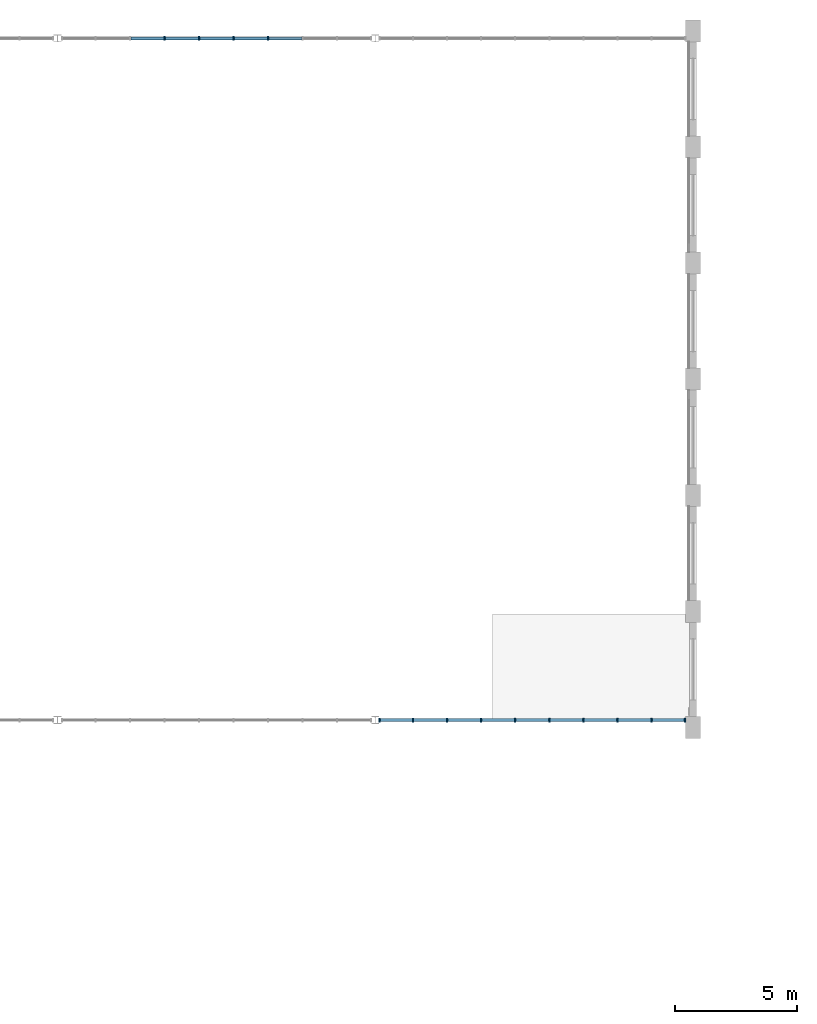
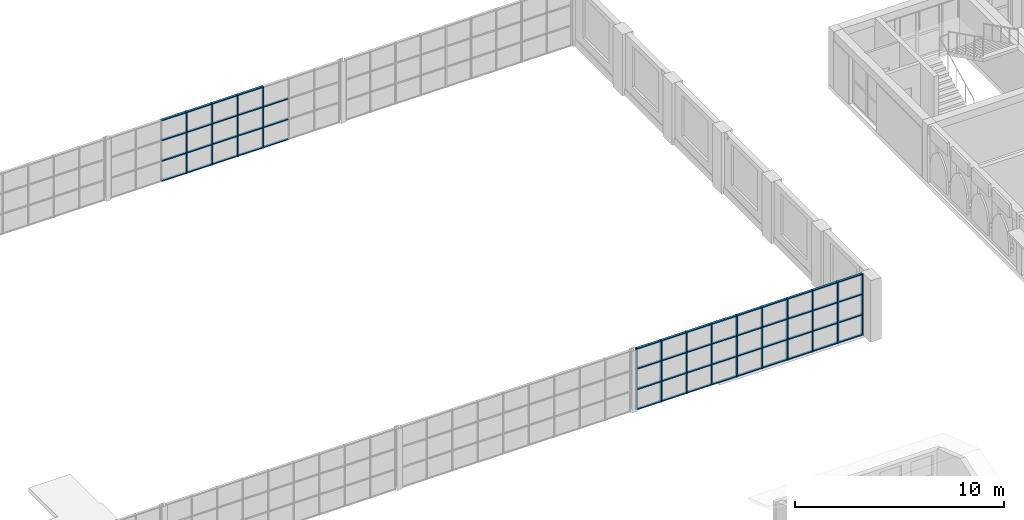
# One storey, part 11 of 70: 69 members, 2 elements without a shape of their own.
"""IFC4 building model written with IfcOpenShell, lengths in metres."""

import ifcopenshell
import ifcopenshell.guid

model = None  # the IFC model being written
_history = None  # IfcOwnerHistory: only IFC2X3 demands one
_inside = {}  # id of a spatial element -> (the spatial element, [elements in it])
_under = {}  # id of a project, library or spatial element -> (it, [spatial elements below it])
_declared = {}  # id of a project -> (the project, [libraries it declares])
_typed = {}  # id of a type object -> (the type object, [elements of that type])
_made_of = {}  # id of a material, layer set ... -> (it, [elements and type objects made of it])


def new_model(schema):
    """Start an empty IFC model of exactly this schema.

    Asked for "IFC4X3", IfcOpenShell would pick the latest addendum, in which some entities
    have other attributes; the version numbers below select the first issue.
    IFC2X3 requires an IfcOwnerHistory on every rooted entity: one is made here for all.
    """
    global model, _history
    if schema == "IFC4X3":
        model = ifcopenshell.file(schema_version=(4, 3, 0, 0))
    else:
        model = ifcopenshell.file(schema=schema)
    _inside.clear()
    _under.clear()
    _declared.clear()
    _typed.clear()
    _made_of.clear()
    _history = None
    if model.schema == "IFC2X3":
        org = make("IfcOrganization", Name="unknown")
        user = make(
            "IfcPersonAndOrganization",
            ThePerson=make("IfcPerson", FamilyName="unknown"),
            TheOrganization=org,
        )
        app = make(
            "IfcApplication",
            ApplicationDeveloper=org,
            Version="unknown",
            ApplicationFullName="unknown",
            ApplicationIdentifier="unknown",
        )
        _history = make(
            "IfcOwnerHistory",
            OwningUser=user,
            OwningApplication=app,
            ChangeAction="ADDED",
            CreationDate=0,
        )
    return model


def make(cls, **values):
    """One entity of the class cls with the attributes given. An attribute that is None is left unset."""
    return model.create_entity(
        cls, **{name: value for name, value in values.items() if value is not None}
    )


def rooted(cls, **values):
    """An entity with a GlobalId (a new one), such as an element, a storey or a relation."""
    return make(cls, GlobalId=ifcopenshell.guid.new(), OwnerHistory=_history, **values)


def si_unit(unit_type, name, prefix=None):
    """IfcSIUnit, for example si_unit("LENGTHUNIT", "METRE", prefix="MILLI")."""
    return make("IfcSIUnit", UnitType=unit_type, Prefix=prefix, Name=name)


def assignment(units):
    """IfcUnitAssignment: the units of a project."""
    return None if units is None else make("IfcUnitAssignment", Units=units)


def point(xyz):
    """IfcCartesianPoint."""
    return None if xyz is None else make("IfcCartesianPoint", Coordinates=xyz)


def direction(xyz):
    """IfcDirection."""
    return None if xyz is None else make("IfcDirection", DirectionRatios=xyz)


def frame(location, z_axis=None, x_axis=None):
    """IfcAxis2Placement3D, a coordinate frame: its origin and axes. An axis left out is left unset."""
    return make(
        "IfcAxis2Placement3D",
        Location=point(location),
        Axis=direction(z_axis),
        RefDirection=direction(x_axis),
    )


def frame_2d(location, x_axis=None):
    """IfcAxis2Placement2D, a coordinate frame in the plane: its origin and x axis."""
    return make(
        "IfcAxis2Placement2D", Location=point(location), RefDirection=direction(x_axis)
    )


def origin():
    """The frame at (0, 0, 0) with its axes left unset."""
    return frame((0.0, 0.0, 0.0))


def origin_2d():
    """The frame at (0, 0) in the plane with its x axis left unset."""
    return frame_2d((0.0, 0.0))


def place(relative_to, where):
    """IfcLocalPlacement: puts the frame where relative to a parent placement (None: the world)."""
    return make(
        "IfcLocalPlacement", PlacementRelTo=relative_to, RelativePlacement=where
    )


def context(
    kind, dimensions, precision=None, world=None, true_north=None, identifier=None
):
    """IfcGeometricRepresentationContext, for example the 3D "Model" context."""
    return make(
        "IfcGeometricRepresentationContext",
        ContextIdentifier=identifier,
        ContextType=kind,
        CoordinateSpaceDimension=dimensions,
        Precision=precision,
        WorldCoordinateSystem=world,
        TrueNorth=true_north,
    )


def subcontext(parent, identifier, kind, view, scale=None):
    """IfcGeometricRepresentationSubContext, for example "Body" below "Model"."""
    return make(
        "IfcGeometricRepresentationSubContext",
        ContextIdentifier=identifier,
        ContextType=kind,
        ParentContext=parent,
        TargetScale=scale,
        TargetView=view,
    )


def project(units=None, contexts=None):
    """IfcProject with its units and contexts."""
    return rooted(
        "IfcProject",
        Name="project",
        RepresentationContexts=contexts,
        UnitsInContext=assignment(units),
    )


def spatial(cls, under=None, at=None, **own):
    """A site, building, storey or space (cls), placed at a placement, below another one or the project."""
    s = rooted(cls, ObjectPlacement=at, **own)
    if under is not None:
        _under.setdefault(under.id(), (under, []))[1].append(s)
    return s


def profile(cls, at=None, kind="AREA", **sizes):
    """A parametric profile (cls). Its sizes go by their IFC names, for example OverallWidth=200.0."""
    return make(cls, ProfileType=kind, Position=at, **sizes)


def rectangle(**sizes):
    """IfcRectangleProfileDef."""
    return profile("IfcRectangleProfileDef", **sizes)


def extrude(swept, where, along, depth):
    """IfcExtrudedAreaSolid: the profile swept, set in the frame where, extruded along a direction by depth."""
    return make(
        "IfcExtrudedAreaSolid",
        SweptArea=swept,
        Position=where,
        ExtrudedDirection=direction(along),
        Depth=depth,
    )


def shape(context_of_items, identifier, shape_type, items):
    """IfcShapeRepresentation: the items that make up one representation, for example the "Body"."""
    return make(
        "IfcShapeRepresentation",
        ContextOfItems=context_of_items,
        RepresentationIdentifier=identifier,
        RepresentationType=shape_type,
        Items=items,
    )


def material(Name=None, Category=None):
    """IfcMaterial."""
    return make("IfcMaterial", Name=Name, Category=Category)


def material_profile(
    of_material, cross_section, Name=None, Category=None, Priority=None
):
    """IfcMaterialProfile: a cross section and its material."""
    return make(
        "IfcMaterialProfile",
        Name=Name,
        Material=of_material,
        Profile=cross_section,
        Priority=Priority,
        Category=Category,
    )


def profile_set(profiles, Name=None, composite=None):
    """IfcMaterialProfileSet."""
    return make(
        "IfcMaterialProfileSet",
        Name=Name,
        MaterialProfiles=profiles,
        CompositeProfile=composite,
    )


def made_of(thing, what):
    """Note that an element or type object is made of a material, layer set ...; save() writes the relation."""
    if what is not None:
        _made_of.setdefault(what.id(), (what, []))[1].append(thing)
    return thing


def type_object(cls, material=None, **own):
    """A type object (cls), such as IfcWallType, which elements share."""
    return made_of(rooted(cls, **own), material)


def element(
    cls,
    number,
    at=None,
    inside=None,
    cuts=None,
    type_object=None,
    material=None,
    context=None,
    identifier="Body",
    shape_type=None,
    held_by="IfcProductDefinitionShape",
    body=None,
    shapes=None,
    **own,
):
    """One element of the class cls, such as IfcWall. Its Tag is "e" and its number.

    at: its placement. inside: the storey or other place that contains it. cuts: it is an
    opening in that element (IfcRelVoidsElement). A single representation is given by context,
    identifier, shape_type and body (its items); several are given by shapes. held_by: the class
    of the entity that holds the representations. save() writes the other relations.
    """
    e = rooted(cls, Tag="e%d" % number, ObjectPlacement=at, **own)
    if body is not None:
        shapes = [shape(context, identifier, shape_type, body)]
    if shapes is not None:
        e.Representation = make(held_by, Representations=shapes)
    if inside is not None:
        _inside.setdefault(inside.id(), (inside, []))[1].append(e)
    if cuts is not None:
        rooted(
            "IfcRelVoidsElement", RelatingBuildingElement=cuts, RelatedOpeningElement=e
        )
    if type_object is not None:
        _typed.setdefault(type_object.id(), (type_object, []))[1].append(e)
    return made_of(e, material)


def aggregate(whole, parts):
    """IfcRelAggregates: a whole, such as a stair, and the parts it consists of."""
    return rooted("IfcRelAggregates", RelatingObject=whole, RelatedObjects=parts)


def save(model, path):
    """Write the relations noted so far, then the file.

    IfcRelAggregates (storeys below a building ...), IfcRelContainedInSpatialStructure (elements
    in a storey), IfcRelDefinesByType, IfcRelAssociatesMaterial and IfcRelDeclares: one each for
    every whole, place, type object, material and project.
    """
    for whole, parts in _under.values():
        aggregate(whole, parts)
    for where, things in _inside.values():
        rooted(
            "IfcRelContainedInSpatialStructure",
            RelatedElements=things,
            RelatingStructure=where,
        )
    for kind, things in _typed.values():
        rooted("IfcRelDefinesByType", RelatedObjects=things, RelatingType=kind)
    for what, things in _made_of.values():
        rooted("IfcRelAssociatesMaterial", RelatedObjects=things, RelatingMaterial=what)
    for by, libraries in _declared.values():
        rooted("IfcRelDeclares", RelatingContext=by, RelatedDefinitions=libraries)
    model.write(path)


model = new_model("IFC4")

# Units and contexts
model_context = context("Model", 3, precision=1e-05, world=origin(), true_north=direction((0.0, 1.0)))
body_context = subcontext(model_context, "Body", "Model", "MODEL_VIEW")
ifc_project = project(units=[si_unit("LENGTHUNIT", "METRE"), si_unit("AREAUNIT", "SQUARE_METRE"), si_unit("VOLUMEUNIT", "CUBIC_METRE"), si_unit("PLANEANGLEUNIT", "RADIAN"), si_unit("MASSUNIT", "GRAM", prefix="KILO")], contexts=[model_context])

# Site, building, storey
site_placement = place(None, origin())
site = spatial("IfcSite", under=ifc_project, at=site_placement, CompositionType="ELEMENT")
building_placement = place(site_placement, origin())
building = spatial("IfcBuilding", under=site, at=building_placement, Name="Elbe Cascade School", CompositionType="ELEMENT")
storey_placement = place(building_placement, frame((0.0, 0.0, 8.10009765625)))
storey = spatial("IfcBuildingStorey", under=building, at=storey_placement, Name="L02", CompositionType="ELEMENT", Elevation=8.10009765625)

# Curtain wall, members
ifc_material_1 = material(Name="Glass - double glazed low-E", Category="glass")
curtain_wall_type = type_object("IfcCurtainWallType", Name="Hall gable curtain wall", PredefinedType="NOTDEFINED", material=ifc_material_1)
curtain_wall_1_placement = place(storey_placement, origin())
curtain_wall_1 = element("IfcCurtainWall", 1, at=curtain_wall_1_placement, inside=storey, type_object=curtain_wall_type, Name="Gable curtain wall S4", PredefinedType="NOTDEFINED")
ifc_material_2 = material(Name="Aluminium - bronze anodised", Category="aluminium")
ifc_material_profile_1 = material_profile(ifc_material_2, rectangle(XDim=0.159912109375, YDim=0.06005859375, at=origin_2d()), Name="Alu 60x160")
ifc_profile_set_1 = profile_set([ifc_material_profile_1], Name="Aluminium - bronze anodised")
member_type_1 = type_object("IfcMemberType", Name="Hall gable mullion 60x160", PredefinedType="MULLION", material=ifc_profile_set_1)
member_1_placement = place(storey_placement, frame((47.179931640625, 41.300048828125, 0.0), z_axis=(0.0, 0.0, 1.0), x_axis=(0.0, 1.0, 0.0)))
member_1 = element("IfcMember", 2, at=member_1_placement, type_object=member_type_1, Name="CW6 mullion 1", PredefinedType="MULLION", context=body_context, shape_type="SweptSolid", body=[
    extrude(rectangle(XDim=0.159912109375, YDim=0.06005859375, at=origin_2d()), origin(), (0.0, 0.0, 1.0), 3.599853515625),
])
member_2_placement = place(storey_placement, frame((48.54443359375, 41.300048828125, 0.0), z_axis=(0.0, 0.0, 1.0), x_axis=(0.0, 1.0, 0.0)))
member_2 = element("IfcMember", 3, at=member_2_placement, type_object=member_type_1, Name="CW6 mullion 2", PredefinedType="MULLION", context=body_context, shape_type="SweptSolid", body=[
    extrude(rectangle(XDim=0.159912109375, YDim=0.06005859375, at=origin_2d()), origin(), (0.0, 0.0, 1.0), 3.599853515625),
])
member_3_placement = place(storey_placement, frame((49.93896484375, 41.300048828125, 0.0), z_axis=(0.0, 0.0, 1.0), x_axis=(0.0, 1.0, 0.0)))
member_3 = element("IfcMember", 4, at=member_3_placement, type_object=member_type_1, Name="CW6 mullion 3", PredefinedType="MULLION", context=body_context, shape_type="SweptSolid", body=[
    extrude(rectangle(XDim=0.159912109375, YDim=0.06005859375, at=origin_2d()), origin(), (0.0, 0.0, 1.0), 3.599853515625),
])
member_4_placement = place(storey_placement, frame((51.333251953125, 41.300048828125, 0.0), z_axis=(0.0, 0.0, 1.0), x_axis=(0.0, 1.0, 0.0)))
member_4 = element("IfcMember", 5, at=member_4_placement, type_object=member_type_1, Name="CW6 mullion 4", PredefinedType="MULLION", context=body_context, shape_type="SweptSolid", body=[
    extrude(rectangle(XDim=0.159912109375, YDim=0.06005859375, at=origin_2d()), origin(), (0.0, 0.0, 1.0), 3.599853515625),
])
member_5_placement = place(storey_placement, frame((52.727783203125, 41.300048828125, 0.0), z_axis=(0.0, 0.0, 1.0), x_axis=(0.0, 1.0, 0.0)))
member_5 = element("IfcMember", 6, at=member_5_placement, type_object=member_type_1, Name="CW6 mullion 5", PredefinedType="MULLION", context=body_context, shape_type="SweptSolid", body=[
    extrude(rectangle(XDim=0.159912109375, YDim=0.06005859375, at=origin_2d()), origin(), (0.0, 0.0, 1.0), 3.599853515625),
])
member_6_placement = place(storey_placement, frame((54.122314453125, 41.300048828125, 0.0), z_axis=(0.0, 0.0, 1.0), x_axis=(0.0, 1.0, 0.0)))
member_6 = element("IfcMember", 7, at=member_6_placement, type_object=member_type_1, Name="CW6 mullion 6", PredefinedType="MULLION", context=body_context, shape_type="SweptSolid", body=[
    extrude(rectangle(XDim=0.159912109375, YDim=0.06005859375, at=origin_2d()), origin(), (0.0, 0.0, 1.0), 3.599853515625),
])
member_7_placement = place(storey_placement, frame((55.5166015625, 41.300048828125, 0.0), z_axis=(0.0, 0.0, 1.0), x_axis=(0.0, 1.0, 0.0)))
member_7 = element("IfcMember", 8, at=member_7_placement, type_object=member_type_1, Name="CW6 mullion 7", PredefinedType="MULLION", context=body_context, shape_type="SweptSolid", body=[
    extrude(rectangle(XDim=0.159912109375, YDim=0.06005859375, at=origin_2d()), origin(), (0.0, 0.0, 1.0), 3.599853515625),
])
member_8_placement = place(storey_placement, frame((56.9111328125, 41.300048828125, 0.0), z_axis=(0.0, 0.0, 1.0), x_axis=(0.0, 1.0, 0.0)))
member_8 = element("IfcMember", 9, at=member_8_placement, type_object=member_type_1, Name="CW6 mullion 8", PredefinedType="MULLION", context=body_context, shape_type="SweptSolid", body=[
    extrude(rectangle(XDim=0.159912109375, YDim=0.06005859375, at=origin_2d()), origin(), (0.0, 0.0, 1.0), 3.599853515625),
])
member_9_placement = place(storey_placement, frame((58.3056640625, 41.300048828125, 0.0), z_axis=(0.0, 0.0, 1.0), x_axis=(0.0, 1.0, 0.0)))
member_9 = element("IfcMember", 10, at=member_9_placement, type_object=member_type_1, Name="CW6 mullion 9", PredefinedType="MULLION", context=body_context, shape_type="SweptSolid", body=[
    extrude(rectangle(XDim=0.159912109375, YDim=0.06005859375, at=origin_2d()), origin(), (0.0, 0.0, 1.0), 3.599853515625),
])
member_10_placement = place(storey_placement, frame((59.669921875, 41.300048828125, 0.0), z_axis=(0.0, 0.0, 1.0), x_axis=(0.0, 1.0, 0.0)))
member_10 = element("IfcMember", 11, at=member_10_placement, type_object=member_type_1, Name="CW6 mullion 10", PredefinedType="MULLION", context=body_context, shape_type="SweptSolid", body=[
    extrude(rectangle(XDim=0.159912109375, YDim=0.06005859375, at=origin_2d()), origin(), (0.0, 0.0, 1.0), 3.599853515625),
])

curtain_wall_2_placement = place(storey_placement, origin())
curtain_wall_2 = element("IfcCurtainWall", 12, at=curtain_wall_2_placement, inside=storey, type_object=curtain_wall_type, Name="Gable curtain wall N3", PredefinedType="NOTDEFINED")
member_11_placement = place(storey_placement, frame((38.38330078125, 69.199951171875, 0.0), z_axis=(0.0, 0.0, 1.0), x_axis=(0.0, 1.0, 0.0)))
member_11 = element("IfcMember", 13, at=member_11_placement, type_object=member_type_1, Name="CW6 mullion 4", PredefinedType="MULLION", context=body_context, shape_type="SweptSolid", body=[
    extrude(rectangle(XDim=0.159912109375, YDim=0.06005859375, at=origin_2d()), origin(), (0.0, 0.0, 1.0), 3.599853515625),
])
member_12_placement = place(storey_placement, frame((39.79443359375, 69.199951171875, 0.0), z_axis=(0.0, 0.0, 1.0), x_axis=(0.0, 1.0, 0.0)))
member_12 = element("IfcMember", 14, at=member_12_placement, type_object=member_type_1, Name="CW6 mullion 5", PredefinedType="MULLION", context=body_context, shape_type="SweptSolid", body=[
    extrude(rectangle(XDim=0.159912109375, YDim=0.06005859375, at=origin_2d()), origin(), (0.0, 0.0, 1.0), 3.599853515625),
])
member_13_placement = place(storey_placement, frame((41.20556640625, 69.199951171875, 0.0), z_axis=(0.0, 0.0, 1.0), x_axis=(0.0, 1.0, 0.0)))
member_13 = element("IfcMember", 15, at=member_13_placement, type_object=member_type_1, Name="CW6 mullion 6", PredefinedType="MULLION", context=body_context, shape_type="SweptSolid", body=[
    extrude(rectangle(XDim=0.159912109375, YDim=0.06005859375, at=origin_2d()), origin(), (0.0, 0.0, 1.0), 3.599853515625),
])
member_14_placement = place(storey_placement, frame((42.61669921875, 69.199951171875, 0.0), z_axis=(0.0, 0.0, 1.0), x_axis=(0.0, 1.0, 0.0)))
member_14 = element("IfcMember", 16, at=member_14_placement, type_object=member_type_1, Name="CW6 mullion 7", PredefinedType="MULLION", context=body_context, shape_type="SweptSolid", body=[
    extrude(rectangle(XDim=0.159912109375, YDim=0.06005859375, at=origin_2d()), origin(), (0.0, 0.0, 1.0), 3.599853515625),
])

# Member
ifc_material_3 = material(Name="Aluminium - bronze anodised", Category="aluminium")
ifc_material_profile_2 = material_profile(ifc_material_3, rectangle(XDim=0.1201171875, YDim=0.06005859375, at=origin_2d()), Name="Alu 60x120")
ifc_profile_set_2 = profile_set([ifc_material_profile_2], Name="Aluminium - bronze anodised")
member_type_2 = type_object("IfcMemberType", Name="Hall gable transom 60x120", PredefinedType="USERDEFINED", material=ifc_profile_set_2)
member_15_placement = place(storey_placement, frame((47.2099609375, 41.300048828125, 0.02978515625), z_axis=(1.0, 0.0, 0.0), x_axis=(0.0, 1.0, 0.0)))
member_15 = element("IfcMember", 17, at=member_15_placement, type_object=member_type_2, Name="CW6 transom 1.1", ObjectType="TRANSOM", PredefinedType="USERDEFINED", context=body_context, shape_type="SweptSolid", body=[
    extrude(rectangle(XDim=0.1201171875, YDim=0.06005859375, at=origin_2d()), origin(), (0.0, 0.0, 1.0), 1.304443359375),
])

member_16_placement = place(storey_placement, frame((47.2099609375, 41.300048828125, 1.199951171875), z_axis=(1.0, 0.0, 0.0), x_axis=(0.0, 1.0, 0.0)))
member_16 = element("IfcMember", 18, at=member_16_placement, type_object=member_type_2, Name="CW6 transom 1.2", ObjectType="TRANSOM", PredefinedType="USERDEFINED", context=body_context, shape_type="SweptSolid", body=[
    extrude(rectangle(XDim=0.1201171875, YDim=0.06005859375, at=origin_2d()), origin(), (0.0, 0.0, 1.0), 1.304443359375),
])

member_17_placement = place(storey_placement, frame((47.2099609375, 41.300048828125, 2.39990234375), z_axis=(1.0, 0.0, 0.0), x_axis=(0.0, 1.0, 0.0)))
member_17 = element("IfcMember", 19, at=member_17_placement, type_object=member_type_2, Name="CW6 transom 1.3", ObjectType="TRANSOM", PredefinedType="USERDEFINED", context=body_context, shape_type="SweptSolid", body=[
    extrude(rectangle(XDim=0.1201171875, YDim=0.06005859375, at=origin_2d()), origin(), (0.0, 0.0, 1.0), 1.304443359375),
])

member_18_placement = place(storey_placement, frame((47.2099609375, 41.300048828125, 3.56982421875), z_axis=(1.0, 0.0, 0.0), x_axis=(0.0, 1.0, 0.0)))
member_18 = element("IfcMember", 20, at=member_18_placement, type_object=member_type_2, Name="CW6 transom 1.4", ObjectType="TRANSOM", PredefinedType="USERDEFINED", context=body_context, shape_type="SweptSolid", body=[
    extrude(rectangle(XDim=0.1201171875, YDim=0.06005859375, at=origin_2d()), origin(), (0.0, 0.0, 1.0), 1.304443359375),
])

member_19_placement = place(storey_placement, frame((48.574462890625, 41.300048828125, 0.02978515625), z_axis=(1.0, 0.0, 0.0), x_axis=(0.0, 1.0, 0.0)))
member_19 = element("IfcMember", 21, at=member_19_placement, type_object=member_type_2, Name="CW6 transom 2.1", ObjectType="TRANSOM", PredefinedType="USERDEFINED", context=body_context, shape_type="SweptSolid", body=[
    extrude(rectangle(XDim=0.1201171875, YDim=0.06005859375, at=origin_2d()), origin(), (0.0, 0.0, 1.0), 1.33447265625),
])

member_20_placement = place(storey_placement, frame((48.574462890625, 41.300048828125, 1.199951171875), z_axis=(1.0, 0.0, 0.0), x_axis=(0.0, 1.0, 0.0)))
member_20 = element("IfcMember", 22, at=member_20_placement, type_object=member_type_2, Name="CW6 transom 2.2", ObjectType="TRANSOM", PredefinedType="USERDEFINED", context=body_context, shape_type="SweptSolid", body=[
    extrude(rectangle(XDim=0.1201171875, YDim=0.06005859375, at=origin_2d()), origin(), (0.0, 0.0, 1.0), 1.33447265625),
])

member_21_placement = place(storey_placement, frame((48.574462890625, 41.300048828125, 2.39990234375), z_axis=(1.0, 0.0, 0.0), x_axis=(0.0, 1.0, 0.0)))
member_21 = element("IfcMember", 23, at=member_21_placement, type_object=member_type_2, Name="CW6 transom 2.3", ObjectType="TRANSOM", PredefinedType="USERDEFINED", context=body_context, shape_type="SweptSolid", body=[
    extrude(rectangle(XDim=0.1201171875, YDim=0.06005859375, at=origin_2d()), origin(), (0.0, 0.0, 1.0), 1.33447265625),
])

member_22_placement = place(storey_placement, frame((48.574462890625, 41.300048828125, 3.56982421875), z_axis=(1.0, 0.0, 0.0), x_axis=(0.0, 1.0, 0.0)))
member_22 = element("IfcMember", 24, at=member_22_placement, type_object=member_type_2, Name="CW6 transom 2.4", ObjectType="TRANSOM", PredefinedType="USERDEFINED", context=body_context, shape_type="SweptSolid", body=[
    extrude(rectangle(XDim=0.1201171875, YDim=0.06005859375, at=origin_2d()), origin(), (0.0, 0.0, 1.0), 1.33447265625),
])

member_23_placement = place(storey_placement, frame((49.968994140625, 41.300048828125, 0.02978515625), z_axis=(1.0, 0.0, 0.0), x_axis=(0.0, 1.0, 0.0)))
member_23 = element("IfcMember", 25, at=member_23_placement, type_object=member_type_2, Name="CW6 transom 3.1", ObjectType="TRANSOM", PredefinedType="USERDEFINED", context=body_context, shape_type="SweptSolid", body=[
    extrude(rectangle(XDim=0.1201171875, YDim=0.06005859375, at=origin_2d()), origin(), (0.0, 0.0, 1.0), 1.334228515625),
])

member_24_placement = place(storey_placement, frame((49.968994140625, 41.300048828125, 1.199951171875), z_axis=(1.0, 0.0, 0.0), x_axis=(0.0, 1.0, 0.0)))
member_24 = element("IfcMember", 26, at=member_24_placement, type_object=member_type_2, Name="CW6 transom 3.2", ObjectType="TRANSOM", PredefinedType="USERDEFINED", context=body_context, shape_type="SweptSolid", body=[
    extrude(rectangle(XDim=0.1201171875, YDim=0.06005859375, at=origin_2d()), origin(), (0.0, 0.0, 1.0), 1.334228515625),
])

member_25_placement = place(storey_placement, frame((49.968994140625, 41.300048828125, 2.39990234375), z_axis=(1.0, 0.0, 0.0), x_axis=(0.0, 1.0, 0.0)))
member_25 = element("IfcMember", 27, at=member_25_placement, type_object=member_type_2, Name="CW6 transom 3.3", ObjectType="TRANSOM", PredefinedType="USERDEFINED", context=body_context, shape_type="SweptSolid", body=[
    extrude(rectangle(XDim=0.1201171875, YDim=0.06005859375, at=origin_2d()), origin(), (0.0, 0.0, 1.0), 1.334228515625),
])

member_26_placement = place(storey_placement, frame((49.968994140625, 41.300048828125, 3.56982421875), z_axis=(1.0, 0.0, 0.0), x_axis=(0.0, 1.0, 0.0)))
member_26 = element("IfcMember", 28, at=member_26_placement, type_object=member_type_2, Name="CW6 transom 3.4", ObjectType="TRANSOM", PredefinedType="USERDEFINED", context=body_context, shape_type="SweptSolid", body=[
    extrude(rectangle(XDim=0.1201171875, YDim=0.06005859375, at=origin_2d()), origin(), (0.0, 0.0, 1.0), 1.334228515625),
])

member_27_placement = place(storey_placement, frame((51.36328125, 41.300048828125, 0.02978515625), z_axis=(1.0, 0.0, 0.0), x_axis=(0.0, 1.0, 0.0)))
member_27 = element("IfcMember", 29, at=member_27_placement, type_object=member_type_2, Name="CW6 transom 4.1", ObjectType="TRANSOM", PredefinedType="USERDEFINED", context=body_context, shape_type="SweptSolid", body=[
    extrude(rectangle(XDim=0.1201171875, YDim=0.06005859375, at=origin_2d()), origin(), (0.0, 0.0, 1.0), 1.33447265625),
])

member_28_placement = place(storey_placement, frame((51.36328125, 41.300048828125, 1.199951171875), z_axis=(1.0, 0.0, 0.0), x_axis=(0.0, 1.0, 0.0)))
member_28 = element("IfcMember", 30, at=member_28_placement, type_object=member_type_2, Name="CW6 transom 4.2", ObjectType="TRANSOM", PredefinedType="USERDEFINED", context=body_context, shape_type="SweptSolid", body=[
    extrude(rectangle(XDim=0.1201171875, YDim=0.06005859375, at=origin_2d()), origin(), (0.0, 0.0, 1.0), 1.33447265625),
])

member_29_placement = place(storey_placement, frame((51.36328125, 41.300048828125, 2.39990234375), z_axis=(1.0, 0.0, 0.0), x_axis=(0.0, 1.0, 0.0)))
member_29 = element("IfcMember", 31, at=member_29_placement, type_object=member_type_2, Name="CW6 transom 4.3", ObjectType="TRANSOM", PredefinedType="USERDEFINED", context=body_context, shape_type="SweptSolid", body=[
    extrude(rectangle(XDim=0.1201171875, YDim=0.06005859375, at=origin_2d()), origin(), (0.0, 0.0, 1.0), 1.33447265625),
])

member_30_placement = place(storey_placement, frame((51.36328125, 41.300048828125, 3.56982421875), z_axis=(1.0, 0.0, 0.0), x_axis=(0.0, 1.0, 0.0)))
member_30 = element("IfcMember", 32, at=member_30_placement, type_object=member_type_2, Name="CW6 transom 4.4", ObjectType="TRANSOM", PredefinedType="USERDEFINED", context=body_context, shape_type="SweptSolid", body=[
    extrude(rectangle(XDim=0.1201171875, YDim=0.06005859375, at=origin_2d()), origin(), (0.0, 0.0, 1.0), 1.33447265625),
])

member_31_placement = place(storey_placement, frame((52.7578125, 41.300048828125, 0.02978515625), z_axis=(1.0, 0.0, 0.0), x_axis=(0.0, 1.0, 0.0)))
member_31 = element("IfcMember", 33, at=member_31_placement, type_object=member_type_2, Name="CW6 transom 5.1", ObjectType="TRANSOM", PredefinedType="USERDEFINED", context=body_context, shape_type="SweptSolid", body=[
    extrude(rectangle(XDim=0.1201171875, YDim=0.06005859375, at=origin_2d()), origin(), (0.0, 0.0, 1.0), 1.33447265625),
])

member_32_placement = place(storey_placement, frame((52.7578125, 41.300048828125, 1.199951171875), z_axis=(1.0, 0.0, 0.0), x_axis=(0.0, 1.0, 0.0)))
member_32 = element("IfcMember", 34, at=member_32_placement, type_object=member_type_2, Name="CW6 transom 5.2", ObjectType="TRANSOM", PredefinedType="USERDEFINED", context=body_context, shape_type="SweptSolid", body=[
    extrude(rectangle(XDim=0.1201171875, YDim=0.06005859375, at=origin_2d()), origin(), (0.0, 0.0, 1.0), 1.33447265625),
])

member_33_placement = place(storey_placement, frame((52.7578125, 41.300048828125, 2.39990234375), z_axis=(1.0, 0.0, 0.0), x_axis=(0.0, 1.0, 0.0)))
member_33 = element("IfcMember", 35, at=member_33_placement, type_object=member_type_2, Name="CW6 transom 5.3", ObjectType="TRANSOM", PredefinedType="USERDEFINED", context=body_context, shape_type="SweptSolid", body=[
    extrude(rectangle(XDim=0.1201171875, YDim=0.06005859375, at=origin_2d()), origin(), (0.0, 0.0, 1.0), 1.33447265625),
])

member_34_placement = place(storey_placement, frame((52.7578125, 41.300048828125, 3.56982421875), z_axis=(1.0, 0.0, 0.0), x_axis=(0.0, 1.0, 0.0)))
member_34 = element("IfcMember", 36, at=member_34_placement, type_object=member_type_2, Name="CW6 transom 5.4", ObjectType="TRANSOM", PredefinedType="USERDEFINED", context=body_context, shape_type="SweptSolid", body=[
    extrude(rectangle(XDim=0.1201171875, YDim=0.06005859375, at=origin_2d()), origin(), (0.0, 0.0, 1.0), 1.33447265625),
])

member_35_placement = place(storey_placement, frame((54.15234375, 41.300048828125, 0.02978515625), z_axis=(1.0, 0.0, 0.0), x_axis=(0.0, 1.0, 0.0)))
member_35 = element("IfcMember", 37, at=member_35_placement, type_object=member_type_2, Name="CW6 transom 6.1", ObjectType="TRANSOM", PredefinedType="USERDEFINED", context=body_context, shape_type="SweptSolid", body=[
    extrude(rectangle(XDim=0.1201171875, YDim=0.06005859375, at=origin_2d()), origin(), (0.0, 0.0, 1.0), 1.334228515625),
])

member_36_placement = place(storey_placement, frame((54.15234375, 41.300048828125, 1.199951171875), z_axis=(1.0, 0.0, 0.0), x_axis=(0.0, 1.0, 0.0)))
member_36 = element("IfcMember", 38, at=member_36_placement, type_object=member_type_2, Name="CW6 transom 6.2", ObjectType="TRANSOM", PredefinedType="USERDEFINED", context=body_context, shape_type="SweptSolid", body=[
    extrude(rectangle(XDim=0.1201171875, YDim=0.06005859375, at=origin_2d()), origin(), (0.0, 0.0, 1.0), 1.334228515625),
])

member_37_placement = place(storey_placement, frame((54.15234375, 41.300048828125, 2.39990234375), z_axis=(1.0, 0.0, 0.0), x_axis=(0.0, 1.0, 0.0)))
member_37 = element("IfcMember", 39, at=member_37_placement, type_object=member_type_2, Name="CW6 transom 6.3", ObjectType="TRANSOM", PredefinedType="USERDEFINED", context=body_context, shape_type="SweptSolid", body=[
    extrude(rectangle(XDim=0.1201171875, YDim=0.06005859375, at=origin_2d()), origin(), (0.0, 0.0, 1.0), 1.334228515625),
])

member_38_placement = place(storey_placement, frame((54.15234375, 41.300048828125, 3.56982421875), z_axis=(1.0, 0.0, 0.0), x_axis=(0.0, 1.0, 0.0)))
member_38 = element("IfcMember", 40, at=member_38_placement, type_object=member_type_2, Name="CW6 transom 6.4", ObjectType="TRANSOM", PredefinedType="USERDEFINED", context=body_context, shape_type="SweptSolid", body=[
    extrude(rectangle(XDim=0.1201171875, YDim=0.06005859375, at=origin_2d()), origin(), (0.0, 0.0, 1.0), 1.334228515625),
])

member_39_placement = place(storey_placement, frame((55.546630859375, 41.300048828125, 0.02978515625), z_axis=(1.0, 0.0, 0.0), x_axis=(0.0, 1.0, 0.0)))
member_39 = element("IfcMember", 41, at=member_39_placement, type_object=member_type_2, Name="CW6 transom 7.1", ObjectType="TRANSOM", PredefinedType="USERDEFINED", context=body_context, shape_type="SweptSolid", body=[
    extrude(rectangle(XDim=0.1201171875, YDim=0.06005859375, at=origin_2d()), origin(), (0.0, 0.0, 1.0), 1.33447265625),
])

member_40_placement = place(storey_placement, frame((55.546630859375, 41.300048828125, 1.199951171875), z_axis=(1.0, 0.0, 0.0), x_axis=(0.0, 1.0, 0.0)))
member_40 = element("IfcMember", 42, at=member_40_placement, type_object=member_type_2, Name="CW6 transom 7.2", ObjectType="TRANSOM", PredefinedType="USERDEFINED", context=body_context, shape_type="SweptSolid", body=[
    extrude(rectangle(XDim=0.1201171875, YDim=0.06005859375, at=origin_2d()), origin(), (0.0, 0.0, 1.0), 1.33447265625),
])

member_41_placement = place(storey_placement, frame((55.546630859375, 41.300048828125, 2.39990234375), z_axis=(1.0, 0.0, 0.0), x_axis=(0.0, 1.0, 0.0)))
member_41 = element("IfcMember", 43, at=member_41_placement, type_object=member_type_2, Name="CW6 transom 7.3", ObjectType="TRANSOM", PredefinedType="USERDEFINED", context=body_context, shape_type="SweptSolid", body=[
    extrude(rectangle(XDim=0.1201171875, YDim=0.06005859375, at=origin_2d()), origin(), (0.0, 0.0, 1.0), 1.33447265625),
])

member_42_placement = place(storey_placement, frame((55.546630859375, 41.300048828125, 3.56982421875), z_axis=(1.0, 0.0, 0.0), x_axis=(0.0, 1.0, 0.0)))
member_42 = element("IfcMember", 44, at=member_42_placement, type_object=member_type_2, Name="CW6 transom 7.4", ObjectType="TRANSOM", PredefinedType="USERDEFINED", context=body_context, shape_type="SweptSolid", body=[
    extrude(rectangle(XDim=0.1201171875, YDim=0.06005859375, at=origin_2d()), origin(), (0.0, 0.0, 1.0), 1.33447265625),
])

member_43_placement = place(storey_placement, frame((56.941162109375, 41.300048828125, 0.02978515625), z_axis=(1.0, 0.0, 0.0), x_axis=(0.0, 1.0, 0.0)))
member_43 = element("IfcMember", 45, at=member_43_placement, type_object=member_type_2, Name="CW6 transom 8.1", ObjectType="TRANSOM", PredefinedType="USERDEFINED", context=body_context, shape_type="SweptSolid", body=[
    extrude(rectangle(XDim=0.1201171875, YDim=0.06005859375, at=origin_2d()), origin(), (0.0, 0.0, 1.0), 1.33447265625),
])

member_44_placement = place(storey_placement, frame((56.941162109375, 41.300048828125, 1.199951171875), z_axis=(1.0, 0.0, 0.0), x_axis=(0.0, 1.0, 0.0)))
member_44 = element("IfcMember", 46, at=member_44_placement, type_object=member_type_2, Name="CW6 transom 8.2", ObjectType="TRANSOM", PredefinedType="USERDEFINED", context=body_context, shape_type="SweptSolid", body=[
    extrude(rectangle(XDim=0.1201171875, YDim=0.06005859375, at=origin_2d()), origin(), (0.0, 0.0, 1.0), 1.33447265625),
])

member_45_placement = place(storey_placement, frame((56.941162109375, 41.300048828125, 2.39990234375), z_axis=(1.0, 0.0, 0.0), x_axis=(0.0, 1.0, 0.0)))
member_45 = element("IfcMember", 47, at=member_45_placement, type_object=member_type_2, Name="CW6 transom 8.3", ObjectType="TRANSOM", PredefinedType="USERDEFINED", context=body_context, shape_type="SweptSolid", body=[
    extrude(rectangle(XDim=0.1201171875, YDim=0.06005859375, at=origin_2d()), origin(), (0.0, 0.0, 1.0), 1.33447265625),
])

member_46_placement = place(storey_placement, frame((56.941162109375, 41.300048828125, 3.56982421875), z_axis=(1.0, 0.0, 0.0), x_axis=(0.0, 1.0, 0.0)))
member_46 = element("IfcMember", 48, at=member_46_placement, type_object=member_type_2, Name="CW6 transom 8.4", ObjectType="TRANSOM", PredefinedType="USERDEFINED", context=body_context, shape_type="SweptSolid", body=[
    extrude(rectangle(XDim=0.1201171875, YDim=0.06005859375, at=origin_2d()), origin(), (0.0, 0.0, 1.0), 1.33447265625),
])

member_47_placement = place(storey_placement, frame((58.33544921875, 41.300048828125, 0.02978515625), z_axis=(1.0, 0.0, 0.0), x_axis=(0.0, 1.0, 0.0)))
member_47 = element("IfcMember", 49, at=member_47_placement, type_object=member_type_2, Name="CW6 transom 9.1", ObjectType="TRANSOM", PredefinedType="USERDEFINED", context=body_context, shape_type="SweptSolid", body=[
    extrude(rectangle(XDim=0.1201171875, YDim=0.06005859375, at=origin_2d()), origin(), (0.0, 0.0, 1.0), 1.304443359375),
])

member_48_placement = place(storey_placement, frame((58.33544921875, 41.300048828125, 1.199951171875), z_axis=(1.0, 0.0, 0.0), x_axis=(0.0, 1.0, 0.0)))
member_48 = element("IfcMember", 50, at=member_48_placement, type_object=member_type_2, Name="CW6 transom 9.2", ObjectType="TRANSOM", PredefinedType="USERDEFINED", context=body_context, shape_type="SweptSolid", body=[
    extrude(rectangle(XDim=0.1201171875, YDim=0.06005859375, at=origin_2d()), origin(), (0.0, 0.0, 1.0), 1.304443359375),
])

member_49_placement = place(storey_placement, frame((58.33544921875, 41.300048828125, 2.39990234375), z_axis=(1.0, 0.0, 0.0), x_axis=(0.0, 1.0, 0.0)))
member_49 = element("IfcMember", 51, at=member_49_placement, type_object=member_type_2, Name="CW6 transom 9.3", ObjectType="TRANSOM", PredefinedType="USERDEFINED", context=body_context, shape_type="SweptSolid", body=[
    extrude(rectangle(XDim=0.1201171875, YDim=0.06005859375, at=origin_2d()), origin(), (0.0, 0.0, 1.0), 1.304443359375),
])

member_50_placement = place(storey_placement, frame((58.33544921875, 41.300048828125, 3.56982421875), z_axis=(1.0, 0.0, 0.0), x_axis=(0.0, 1.0, 0.0)))
member_50 = element("IfcMember", 52, at=member_50_placement, type_object=member_type_2, Name="CW6 transom 9.4", ObjectType="TRANSOM", PredefinedType="USERDEFINED", context=body_context, shape_type="SweptSolid", body=[
    extrude(rectangle(XDim=0.1201171875, YDim=0.06005859375, at=origin_2d()), origin(), (0.0, 0.0, 1.0), 1.304443359375),
])

aggregate(curtain_wall_1, [member_1, member_2, member_3, member_4, member_5, member_6, member_7, member_8, member_9, member_10, member_15, member_16, member_17, member_18, member_19, member_20, member_21, member_22, member_23, member_24, member_25, member_26, member_27, member_28, member_29, member_30, member_31, member_32, member_33, member_34, member_35, member_36, member_37, member_38, member_39, member_40, member_41, member_42, member_43, member_44, member_45, member_46, member_47, member_48, member_49, member_50])

member_51_placement = place(storey_placement, frame((37.002197265625, 69.199951171875, 0.02978515625), z_axis=(1.0, 0.0, 0.0), x_axis=(0.0, 1.0, 0.0)))
member_51 = element("IfcMember", 53, at=member_51_placement, type_object=member_type_2, Name="CW6 transom 3.1", ObjectType="TRANSOM", PredefinedType="USERDEFINED", context=body_context, shape_type="SweptSolid", body=[
    extrude(rectangle(XDim=0.1201171875, YDim=0.06005859375, at=origin_2d()), origin(), (0.0, 0.0, 1.0), 1.35107421875),
])

member_52_placement = place(storey_placement, frame((37.002197265625, 69.199951171875, 1.199951171875), z_axis=(1.0, 0.0, 0.0), x_axis=(0.0, 1.0, 0.0)))
member_52 = element("IfcMember", 54, at=member_52_placement, type_object=member_type_2, Name="CW6 transom 3.2", ObjectType="TRANSOM", PredefinedType="USERDEFINED", context=body_context, shape_type="SweptSolid", body=[
    extrude(rectangle(XDim=0.1201171875, YDim=0.06005859375, at=origin_2d()), origin(), (0.0, 0.0, 1.0), 1.35107421875),
])

member_53_placement = place(storey_placement, frame((37.002197265625, 69.199951171875, 2.39990234375), z_axis=(1.0, 0.0, 0.0), x_axis=(0.0, 1.0, 0.0)))
member_53 = element("IfcMember", 55, at=member_53_placement, type_object=member_type_2, Name="CW6 transom 3.3", ObjectType="TRANSOM", PredefinedType="USERDEFINED", context=body_context, shape_type="SweptSolid", body=[
    extrude(rectangle(XDim=0.1201171875, YDim=0.06005859375, at=origin_2d()), origin(), (0.0, 0.0, 1.0), 1.35107421875),
])

member_54_placement = place(storey_placement, frame((37.002197265625, 69.199951171875, 3.56982421875), z_axis=(1.0, 0.0, 0.0), x_axis=(0.0, 1.0, 0.0)))
member_54 = element("IfcMember", 56, at=member_54_placement, type_object=member_type_2, Name="CW6 transom 3.4", ObjectType="TRANSOM", PredefinedType="USERDEFINED", context=body_context, shape_type="SweptSolid", body=[
    extrude(rectangle(XDim=0.1201171875, YDim=0.06005859375, at=origin_2d()), origin(), (0.0, 0.0, 1.0), 1.35107421875),
])

member_55_placement = place(storey_placement, frame((38.413330078125, 69.199951171875, 0.02978515625), z_axis=(1.0, 0.0, 0.0), x_axis=(0.0, 1.0, 0.0)))
member_55 = element("IfcMember", 57, at=member_55_placement, type_object=member_type_2, Name="CW6 transom 4.1", ObjectType="TRANSOM", PredefinedType="USERDEFINED", context=body_context, shape_type="SweptSolid", body=[
    extrude(rectangle(XDim=0.1201171875, YDim=0.06005859375, at=origin_2d()), origin(), (0.0, 0.0, 1.0), 1.35107421875),
])

member_56_placement = place(storey_placement, frame((38.413330078125, 69.199951171875, 1.199951171875), z_axis=(1.0, 0.0, 0.0), x_axis=(0.0, 1.0, 0.0)))
member_56 = element("IfcMember", 58, at=member_56_placement, type_object=member_type_2, Name="CW6 transom 4.2", ObjectType="TRANSOM", PredefinedType="USERDEFINED", context=body_context, shape_type="SweptSolid", body=[
    extrude(rectangle(XDim=0.1201171875, YDim=0.06005859375, at=origin_2d()), origin(), (0.0, 0.0, 1.0), 1.35107421875),
])

member_57_placement = place(storey_placement, frame((38.413330078125, 69.199951171875, 2.39990234375), z_axis=(1.0, 0.0, 0.0), x_axis=(0.0, 1.0, 0.0)))
member_57 = element("IfcMember", 59, at=member_57_placement, type_object=member_type_2, Name="CW6 transom 4.3", ObjectType="TRANSOM", PredefinedType="USERDEFINED", context=body_context, shape_type="SweptSolid", body=[
    extrude(rectangle(XDim=0.1201171875, YDim=0.06005859375, at=origin_2d()), origin(), (0.0, 0.0, 1.0), 1.35107421875),
])

member_58_placement = place(storey_placement, frame((38.413330078125, 69.199951171875, 3.56982421875), z_axis=(1.0, 0.0, 0.0), x_axis=(0.0, 1.0, 0.0)))
member_58 = element("IfcMember", 60, at=member_58_placement, type_object=member_type_2, Name="CW6 transom 4.4", ObjectType="TRANSOM", PredefinedType="USERDEFINED", context=body_context, shape_type="SweptSolid", body=[
    extrude(rectangle(XDim=0.1201171875, YDim=0.06005859375, at=origin_2d()), origin(), (0.0, 0.0, 1.0), 1.35107421875),
])

member_59_placement = place(storey_placement, frame((39.824462890625, 69.199951171875, 0.02978515625), z_axis=(1.0, 0.0, 0.0), x_axis=(0.0, 1.0, 0.0)))
member_59 = element("IfcMember", 61, at=member_59_placement, type_object=member_type_2, Name="CW6 transom 5.1", ObjectType="TRANSOM", PredefinedType="USERDEFINED", context=body_context, shape_type="SweptSolid", body=[
    extrude(rectangle(XDim=0.1201171875, YDim=0.06005859375, at=origin_2d()), origin(), (0.0, 0.0, 1.0), 1.35107421875),
])

member_60_placement = place(storey_placement, frame((39.824462890625, 69.199951171875, 1.199951171875), z_axis=(1.0, 0.0, 0.0), x_axis=(0.0, 1.0, 0.0)))
member_60 = element("IfcMember", 62, at=member_60_placement, type_object=member_type_2, Name="CW6 transom 5.2", ObjectType="TRANSOM", PredefinedType="USERDEFINED", context=body_context, shape_type="SweptSolid", body=[
    extrude(rectangle(XDim=0.1201171875, YDim=0.06005859375, at=origin_2d()), origin(), (0.0, 0.0, 1.0), 1.35107421875),
])

member_61_placement = place(storey_placement, frame((39.824462890625, 69.199951171875, 2.39990234375), z_axis=(1.0, 0.0, 0.0), x_axis=(0.0, 1.0, 0.0)))
member_61 = element("IfcMember", 63, at=member_61_placement, type_object=member_type_2, Name="CW6 transom 5.3", ObjectType="TRANSOM", PredefinedType="USERDEFINED", context=body_context, shape_type="SweptSolid", body=[
    extrude(rectangle(XDim=0.1201171875, YDim=0.06005859375, at=origin_2d()), origin(), (0.0, 0.0, 1.0), 1.35107421875),
])

member_62_placement = place(storey_placement, frame((39.824462890625, 69.199951171875, 3.56982421875), z_axis=(1.0, 0.0, 0.0), x_axis=(0.0, 1.0, 0.0)))
member_62 = element("IfcMember", 64, at=member_62_placement, type_object=member_type_2, Name="CW6 transom 5.4", ObjectType="TRANSOM", PredefinedType="USERDEFINED", context=body_context, shape_type="SweptSolid", body=[
    extrude(rectangle(XDim=0.1201171875, YDim=0.06005859375, at=origin_2d()), origin(), (0.0, 0.0, 1.0), 1.35107421875),
])

member_63_placement = place(storey_placement, frame((41.235595703125, 69.199951171875, 0.02978515625), z_axis=(1.0, 0.0, 0.0), x_axis=(0.0, 1.0, 0.0)))
member_63 = element("IfcMember", 65, at=member_63_placement, type_object=member_type_2, Name="CW6 transom 6.1", ObjectType="TRANSOM", PredefinedType="USERDEFINED", context=body_context, shape_type="SweptSolid", body=[
    extrude(rectangle(XDim=0.1201171875, YDim=0.06005859375, at=origin_2d()), origin(), (0.0, 0.0, 1.0), 1.35107421875),
])

member_64_placement = place(storey_placement, frame((41.235595703125, 69.199951171875, 1.199951171875), z_axis=(1.0, 0.0, 0.0), x_axis=(0.0, 1.0, 0.0)))
member_64 = element("IfcMember", 66, at=member_64_placement, type_object=member_type_2, Name="CW6 transom 6.2", ObjectType="TRANSOM", PredefinedType="USERDEFINED", context=body_context, shape_type="SweptSolid", body=[
    extrude(rectangle(XDim=0.1201171875, YDim=0.06005859375, at=origin_2d()), origin(), (0.0, 0.0, 1.0), 1.35107421875),
])

member_65_placement = place(storey_placement, frame((41.235595703125, 69.199951171875, 2.39990234375), z_axis=(1.0, 0.0, 0.0), x_axis=(0.0, 1.0, 0.0)))
member_65 = element("IfcMember", 67, at=member_65_placement, type_object=member_type_2, Name="CW6 transom 6.3", ObjectType="TRANSOM", PredefinedType="USERDEFINED", context=body_context, shape_type="SweptSolid", body=[
    extrude(rectangle(XDim=0.1201171875, YDim=0.06005859375, at=origin_2d()), origin(), (0.0, 0.0, 1.0), 1.35107421875),
])

member_66_placement = place(storey_placement, frame((41.235595703125, 69.199951171875, 3.56982421875), z_axis=(1.0, 0.0, 0.0), x_axis=(0.0, 1.0, 0.0)))
member_66 = element("IfcMember", 68, at=member_66_placement, type_object=member_type_2, Name="CW6 transom 6.4", ObjectType="TRANSOM", PredefinedType="USERDEFINED", context=body_context, shape_type="SweptSolid", body=[
    extrude(rectangle(XDim=0.1201171875, YDim=0.06005859375, at=origin_2d()), origin(), (0.0, 0.0, 1.0), 1.35107421875),
])

member_67_placement = place(storey_placement, frame((42.646728515625, 69.199951171875, 0.02978515625), z_axis=(1.0, 0.0, 0.0), x_axis=(0.0, 1.0, 0.0)))
member_67 = element("IfcMember", 69, at=member_67_placement, type_object=member_type_2, Name="CW6 transom 7.1", ObjectType="TRANSOM", PredefinedType="USERDEFINED", context=body_context, shape_type="SweptSolid", body=[
    extrude(rectangle(XDim=0.1201171875, YDim=0.06005859375, at=origin_2d()), origin(), (0.0, 0.0, 1.0), 1.35107421875),
])

member_68_placement = place(storey_placement, frame((42.646728515625, 69.199951171875, 1.199951171875), z_axis=(1.0, 0.0, 0.0), x_axis=(0.0, 1.0, 0.0)))
member_68 = element("IfcMember", 70, at=member_68_placement, type_object=member_type_2, Name="CW6 transom 7.2", ObjectType="TRANSOM", PredefinedType="USERDEFINED", context=body_context, shape_type="SweptSolid", body=[
    extrude(rectangle(XDim=0.1201171875, YDim=0.06005859375, at=origin_2d()), origin(), (0.0, 0.0, 1.0), 1.35107421875),
])

member_69_placement = place(storey_placement, frame((42.646728515625, 69.199951171875, 2.39990234375), z_axis=(1.0, 0.0, 0.0), x_axis=(0.0, 1.0, 0.0)))
member_69 = element("IfcMember", 71, at=member_69_placement, type_object=member_type_2, Name="CW6 transom 7.3", ObjectType="TRANSOM", PredefinedType="USERDEFINED", context=body_context, shape_type="SweptSolid", body=[
    extrude(rectangle(XDim=0.1201171875, YDim=0.06005859375, at=origin_2d()), origin(), (0.0, 0.0, 1.0), 1.35107421875),
])

aggregate(curtain_wall_2, [member_11, member_12, member_13, member_14, member_51, member_52, member_53, member_54, member_55, member_56, member_57, member_58, member_59, member_60, member_61, member_62, member_63, member_64, member_65, member_66, member_67, member_68, member_69])

save(model, "model.ifc")
